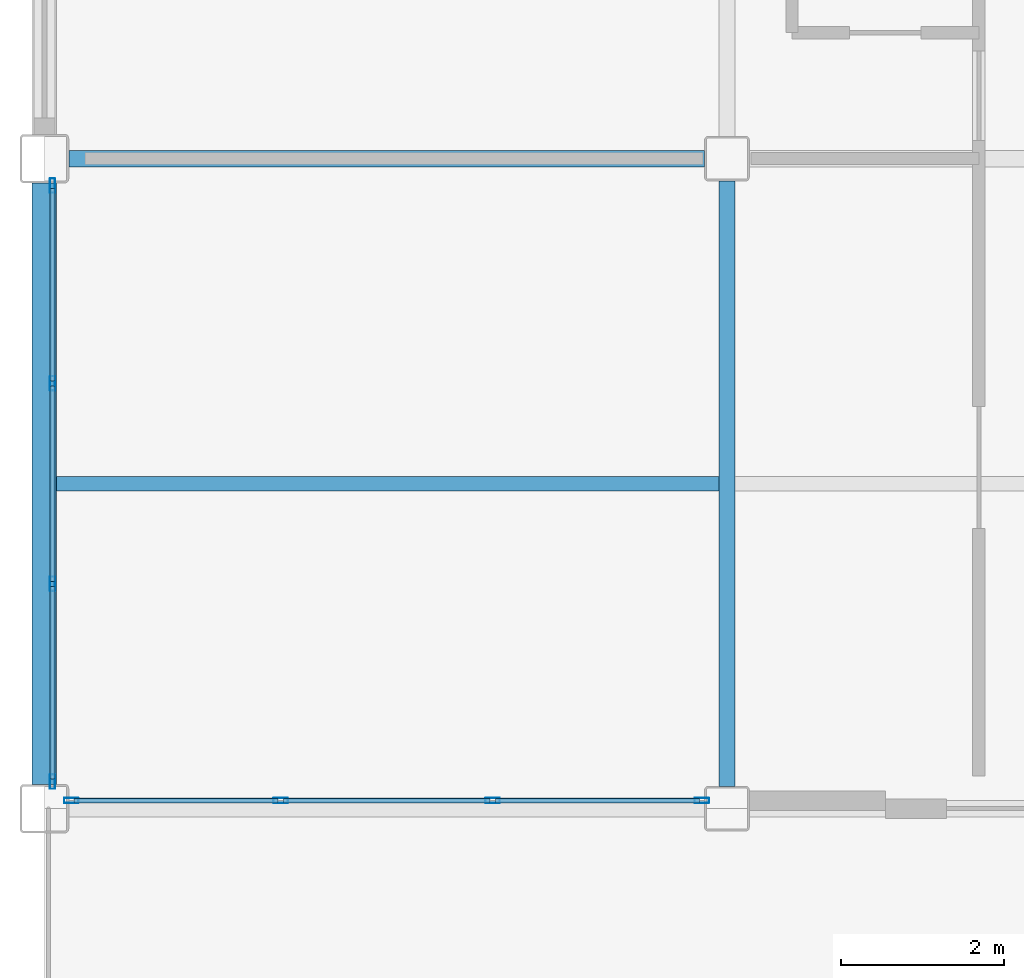
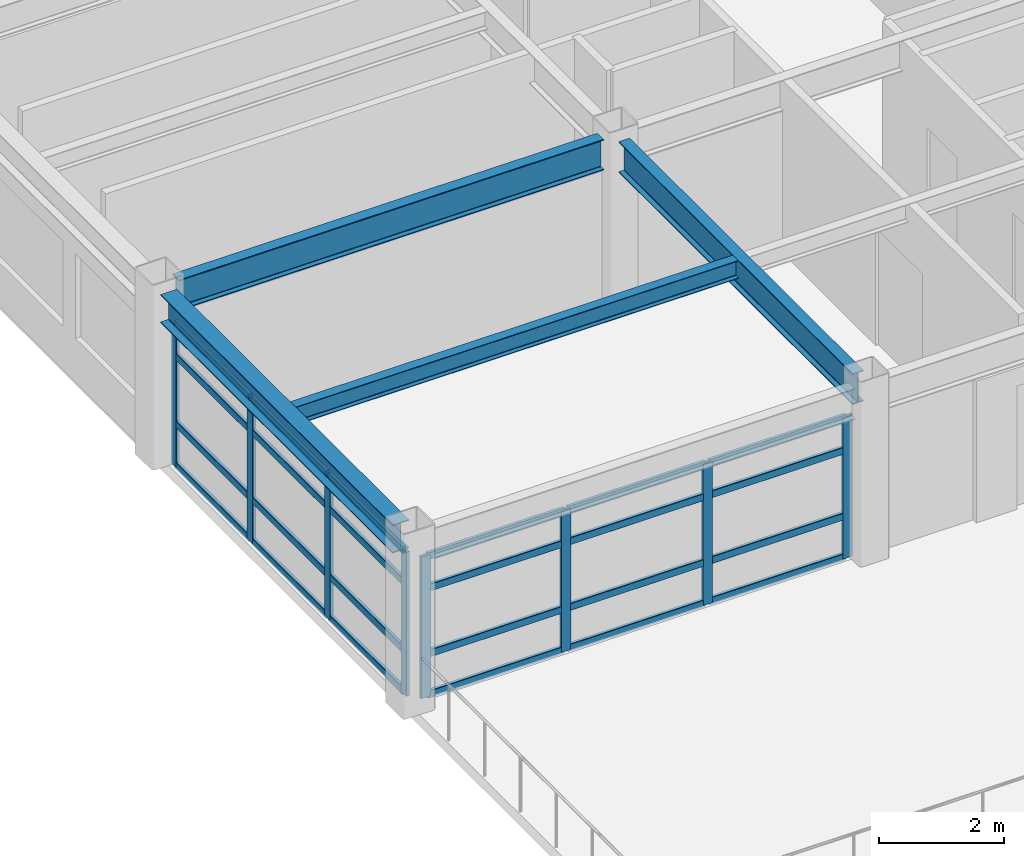
# One storey, part 4 of 36: 32 members, 4 beams, 2 elements without a shape of their own.
"""IFC4 building model written with IfcOpenShell, lengths in metres."""

import ifcopenshell
import ifcopenshell.guid

model = None  # the IFC model being written
_history = None  # IfcOwnerHistory: only IFC2X3 demands one
_inside = {}  # id of a spatial element -> (the spatial element, [elements in it])
_under = {}  # id of a project, library or spatial element -> (it, [spatial elements below it])
_declared = {}  # id of a project -> (the project, [libraries it declares])
_typed = {}  # id of a type object -> (the type object, [elements of that type])
_made_of = {}  # id of a material, layer set ... -> (it, [elements and type objects made of it])


def new_model(schema):
    """Start an empty IFC model of exactly this schema.

    Asked for "IFC4X3", IfcOpenShell would pick the latest addendum, in which some entities
    have other attributes; the version numbers below select the first issue.
    IFC2X3 requires an IfcOwnerHistory on every rooted entity: one is made here for all.
    """
    global model, _history
    if schema == "IFC4X3":
        model = ifcopenshell.file(schema_version=(4, 3, 0, 0))
    else:
        model = ifcopenshell.file(schema=schema)
    _inside.clear()
    _under.clear()
    _declared.clear()
    _typed.clear()
    _made_of.clear()
    _history = None
    if model.schema == "IFC2X3":
        org = make("IfcOrganization", Name="unknown")
        user = make(
            "IfcPersonAndOrganization",
            ThePerson=make("IfcPerson", FamilyName="unknown"),
            TheOrganization=org,
        )
        app = make(
            "IfcApplication",
            ApplicationDeveloper=org,
            Version="unknown",
            ApplicationFullName="unknown",
            ApplicationIdentifier="unknown",
        )
        _history = make(
            "IfcOwnerHistory",
            OwningUser=user,
            OwningApplication=app,
            ChangeAction="ADDED",
            CreationDate=0,
        )
    return model


def make(cls, **values):
    """One entity of the class cls with the attributes given. An attribute that is None is left unset."""
    return model.create_entity(
        cls, **{name: value for name, value in values.items() if value is not None}
    )


def rooted(cls, **values):
    """An entity with a GlobalId (a new one), such as an element, a storey or a relation."""
    return make(cls, GlobalId=ifcopenshell.guid.new(), OwnerHistory=_history, **values)


def si_unit(unit_type, name, prefix=None):
    """IfcSIUnit, for example si_unit("LENGTHUNIT", "METRE", prefix="MILLI")."""
    return make("IfcSIUnit", UnitType=unit_type, Prefix=prefix, Name=name)


def assignment(units):
    """IfcUnitAssignment: the units of a project."""
    return None if units is None else make("IfcUnitAssignment", Units=units)


def point(xyz):
    """IfcCartesianPoint."""
    return None if xyz is None else make("IfcCartesianPoint", Coordinates=xyz)


def direction(xyz):
    """IfcDirection."""
    return None if xyz is None else make("IfcDirection", DirectionRatios=xyz)


def frame(location, z_axis=None, x_axis=None):
    """IfcAxis2Placement3D, a coordinate frame: its origin and axes. An axis left out is left unset."""
    return make(
        "IfcAxis2Placement3D",
        Location=point(location),
        Axis=direction(z_axis),
        RefDirection=direction(x_axis),
    )


def frame_2d(location, x_axis=None):
    """IfcAxis2Placement2D, a coordinate frame in the plane: its origin and x axis."""
    return make(
        "IfcAxis2Placement2D", Location=point(location), RefDirection=direction(x_axis)
    )


def origin():
    """The frame at (0, 0, 0) with its axes left unset."""
    return frame((0.0, 0.0, 0.0))


def origin_2d():
    """The frame at (0, 0) in the plane with its x axis left unset."""
    return frame_2d((0.0, 0.0))


def place(relative_to, where):
    """IfcLocalPlacement: puts the frame where relative to a parent placement (None: the world)."""
    return make(
        "IfcLocalPlacement", PlacementRelTo=relative_to, RelativePlacement=where
    )


def context(
    kind, dimensions, precision=None, world=None, true_north=None, identifier=None
):
    """IfcGeometricRepresentationContext, for example the 3D "Model" context."""
    return make(
        "IfcGeometricRepresentationContext",
        ContextIdentifier=identifier,
        ContextType=kind,
        CoordinateSpaceDimension=dimensions,
        Precision=precision,
        WorldCoordinateSystem=world,
        TrueNorth=true_north,
    )


def subcontext(parent, identifier, kind, view, scale=None):
    """IfcGeometricRepresentationSubContext, for example "Body" below "Model"."""
    return make(
        "IfcGeometricRepresentationSubContext",
        ContextIdentifier=identifier,
        ContextType=kind,
        ParentContext=parent,
        TargetScale=scale,
        TargetView=view,
    )


def project(units=None, contexts=None):
    """IfcProject with its units and contexts."""
    return rooted(
        "IfcProject",
        Name="project",
        RepresentationContexts=contexts,
        UnitsInContext=assignment(units),
    )


def spatial(cls, under=None, at=None, **own):
    """A site, building, storey or space (cls), placed at a placement, below another one or the project."""
    s = rooted(cls, ObjectPlacement=at, **own)
    if under is not None:
        _under.setdefault(under.id(), (under, []))[1].append(s)
    return s


def profile(cls, at=None, kind="AREA", **sizes):
    """A parametric profile (cls). Its sizes go by their IFC names, for example OverallWidth=200.0."""
    return make(cls, ProfileType=kind, Position=at, **sizes)


def hollow_rectangle(**sizes):
    """IfcRectangleHollowProfileDef."""
    return profile("IfcRectangleHollowProfileDef", **sizes)


def i_section(**sizes):
    """IfcIShapeProfileDef."""
    return profile("IfcIShapeProfileDef", **sizes)


def extrude(swept, where, along, depth):
    """IfcExtrudedAreaSolid: the profile swept, set in the frame where, extruded along a direction by depth."""
    return make(
        "IfcExtrudedAreaSolid",
        SweptArea=swept,
        Position=where,
        ExtrudedDirection=direction(along),
        Depth=depth,
    )


def shape(context_of_items, identifier, shape_type, items):
    """IfcShapeRepresentation: the items that make up one representation, for example the "Body"."""
    return make(
        "IfcShapeRepresentation",
        ContextOfItems=context_of_items,
        RepresentationIdentifier=identifier,
        RepresentationType=shape_type,
        Items=items,
    )


def material(Name=None, Category=None):
    """IfcMaterial."""
    return make("IfcMaterial", Name=Name, Category=Category)


def layer(
    of_material, thickness, ventilated=None, Name=None, Category=None, Priority=None
):
    """IfcMaterialLayer: one layer of a wall or slab, of a material (None: an air gap)."""
    return make(
        "IfcMaterialLayer",
        Material=of_material,
        LayerThickness=thickness,
        IsVentilated=ventilated,
        Name=Name,
        Category=Category,
        Priority=Priority,
    )


def layer_set(layers, Name=None):
    """IfcMaterialLayerSet."""
    return make("IfcMaterialLayerSet", MaterialLayers=layers, LayerSetName=Name)


def material_profile(
    of_material, cross_section, Name=None, Category=None, Priority=None
):
    """IfcMaterialProfile: a cross section and its material."""
    return make(
        "IfcMaterialProfile",
        Name=Name,
        Material=of_material,
        Profile=cross_section,
        Priority=Priority,
        Category=Category,
    )


def profile_set(profiles, Name=None, composite=None):
    """IfcMaterialProfileSet."""
    return make(
        "IfcMaterialProfileSet",
        Name=Name,
        MaterialProfiles=profiles,
        CompositeProfile=composite,
    )


def made_of(thing, what):
    """Note that an element or type object is made of a material, layer set ...; save() writes the relation."""
    if what is not None:
        _made_of.setdefault(what.id(), (what, []))[1].append(thing)
    return thing


def type_object(cls, material=None, **own):
    """A type object (cls), such as IfcWallType, which elements share."""
    return made_of(rooted(cls, **own), material)


def element(
    cls,
    number,
    at=None,
    inside=None,
    cuts=None,
    type_object=None,
    material=None,
    context=None,
    identifier="Body",
    shape_type=None,
    held_by="IfcProductDefinitionShape",
    body=None,
    shapes=None,
    **own,
):
    """One element of the class cls, such as IfcWall. Its Tag is "e" and its number.

    at: its placement. inside: the storey or other place that contains it. cuts: it is an
    opening in that element (IfcRelVoidsElement). A single representation is given by context,
    identifier, shape_type and body (its items); several are given by shapes. held_by: the class
    of the entity that holds the representations. save() writes the other relations.
    """
    e = rooted(cls, Tag="e%d" % number, ObjectPlacement=at, **own)
    if body is not None:
        shapes = [shape(context, identifier, shape_type, body)]
    if shapes is not None:
        e.Representation = make(held_by, Representations=shapes)
    if inside is not None:
        _inside.setdefault(inside.id(), (inside, []))[1].append(e)
    if cuts is not None:
        rooted(
            "IfcRelVoidsElement", RelatingBuildingElement=cuts, RelatedOpeningElement=e
        )
    if type_object is not None:
        _typed.setdefault(type_object.id(), (type_object, []))[1].append(e)
    return made_of(e, material)


def aggregate(whole, parts):
    """IfcRelAggregates: a whole, such as a stair, and the parts it consists of."""
    return rooted("IfcRelAggregates", RelatingObject=whole, RelatedObjects=parts)


def save(model, path):
    """Write the relations noted so far, then the file.

    IfcRelAggregates (storeys below a building ...), IfcRelContainedInSpatialStructure (elements
    in a storey), IfcRelDefinesByType, IfcRelAssociatesMaterial and IfcRelDeclares: one each for
    every whole, place, type object, material and project.
    """
    for whole, parts in _under.values():
        aggregate(whole, parts)
    for where, things in _inside.values():
        rooted(
            "IfcRelContainedInSpatialStructure",
            RelatedElements=things,
            RelatingStructure=where,
        )
    for kind, things in _typed.values():
        rooted("IfcRelDefinesByType", RelatedObjects=things, RelatingType=kind)
    for what, things in _made_of.values():
        rooted("IfcRelAssociatesMaterial", RelatedObjects=things, RelatingMaterial=what)
    for by, libraries in _declared.values():
        rooted("IfcRelDeclares", RelatingContext=by, RelatedDefinitions=libraries)
    model.write(path)


model = new_model("IFC4")

# Units and contexts
model_context = context("Model", 3, precision=1e-05, world=origin(), true_north=direction((0.0, 1.0)))
body_context = subcontext(model_context, "Body", "Model", "MODEL_VIEW")
ifc_project = project(units=[si_unit("LENGTHUNIT", "METRE"), si_unit("AREAUNIT", "SQUARE_METRE"), si_unit("VOLUMEUNIT", "CUBIC_METRE"), si_unit("PLANEANGLEUNIT", "RADIAN"), si_unit("MASSUNIT", "GRAM", prefix="KILO")], contexts=[model_context])

# Site, building, storey
site_placement = place(None, origin())
site = spatial("IfcSite", under=ifc_project, at=site_placement, CompositionType="ELEMENT")
building_placement = place(site_placement, origin())
building = spatial("IfcBuilding", under=site, at=building_placement, Name="Kazehara Bluff Congress Hotel", CompositionType="ELEMENT")
storey_placement = place(building_placement, frame((0.0, 0.0, 31.800048828125)))
storey = spatial("IfcBuildingStorey", under=building, at=storey_placement, Name="L07", CompositionType="ELEMENT", Elevation=31.800048828125)

# Curtain wall, members
ifc_material_1 = material(Name="Anodised aluminium", Category="aluminium")
ifc_layer_1 = layer(ifc_material_1, 0.159912109375)
ifc_layer_set_1 = layer_set([ifc_layer_1], Name="Anodised aluminium")
curtain_wall_type_1 = type_object("IfcCurtainWallType", Name="TP-CW-182", PredefinedType="NOTDEFINED", material=ifc_layer_set_1)
curtain_wall_1_placement = place(storey_placement, origin())
curtain_wall_1 = element("IfcCurtainWall", 1, at=curtain_wall_1_placement, inside=storey, type_object=curtain_wall_type_1, Name="L07 curtain wall CW-182 CW-ENC-V5-L07-14791-810", PredefinedType="NOTDEFINED")
ifc_material_2 = material(Name="Anodised aluminium", Category="aluminium")
ifc_material_profile_1 = material_profile(ifc_material_2, hollow_rectangle(XDim=0.06494140625, YDim=0.179931640625, WallThickness=0.00390625, InnerFilletRadius=0.00390625, OuterFilletRadius=0.008056640625, at=origin_2d()))
ifc_profile_set_1 = profile_set([ifc_material_profile_1], Name="Anodised aluminium")
member_type_1 = type_object("IfcMemberType", Name="TP-CWM-02", PredefinedType="MULLION", material=ifc_profile_set_1)
member_1_placement = place(storey_placement, frame((151.79248046875, 8.10009765625, 0.0), z_axis=(0.0, 0.0, 1.0), x_axis=(0.0, -1.0, 0.0)))
member_1 = element("IfcMember", 2, at=member_1_placement, type_object=member_type_1, Name="CW-182 mullion 1", PredefinedType="MULLION", context=body_context, shape_type="SweptSolid", body=[
    extrude(hollow_rectangle(XDim=0.06494140625, YDim=0.179931640625, WallThickness=0.00390625, InnerFilletRadius=0.00390625, OuterFilletRadius=0.008056640625, at=origin_2d()), origin(), (0.0, 0.0, 1.0), 2.7548828125),
])
member_2_placement = place(storey_placement, frame((149.216552734375, 8.10009765625, 0.0), z_axis=(0.0, 0.0, 1.0), x_axis=(0.0, -1.0, 0.0)))
member_2 = element("IfcMember", 3, at=member_2_placement, type_object=member_type_1, Name="CW-182 mullion 2", PredefinedType="MULLION", context=body_context, shape_type="SweptSolid", body=[
    extrude(hollow_rectangle(XDim=0.06494140625, YDim=0.179931640625, WallThickness=0.00390625, InnerFilletRadius=0.00390625, OuterFilletRadius=0.008056640625, at=origin_2d()), origin(), (0.0, 0.0, 1.0), 2.7548828125),
])
member_3_placement = place(storey_placement, frame((146.6083984375, 8.10009765625, 0.0), z_axis=(0.0, 0.0, 1.0), x_axis=(0.0, -1.0, 0.0)))
member_3 = element("IfcMember", 4, at=member_3_placement, type_object=member_type_1, Name="CW-182 mullion 3", PredefinedType="MULLION", context=body_context, shape_type="SweptSolid", body=[
    extrude(hollow_rectangle(XDim=0.06494140625, YDim=0.179931640625, WallThickness=0.00390625, InnerFilletRadius=0.00390625, OuterFilletRadius=0.008056640625, at=origin_2d()), origin(), (0.0, 0.0, 1.0), 2.7548828125),
])
member_4_placement = place(storey_placement, frame((144.032470703125, 8.10009765625, 0.0), z_axis=(0.0, 0.0, 1.0), x_axis=(0.0, -1.0, 0.0)))
member_4 = element("IfcMember", 5, at=member_4_placement, type_object=member_type_1, Name="CW-182 mullion 4", PredefinedType="MULLION", context=body_context, shape_type="SweptSolid", body=[
    extrude(hollow_rectangle(XDim=0.06494140625, YDim=0.179931640625, WallThickness=0.00390625, InnerFilletRadius=0.00390625, OuterFilletRadius=0.008056640625, at=origin_2d()), origin(), (0.0, 0.0, 1.0), 2.7548828125),
])

ifc_material_3 = material(Name="Anodised aluminium", Category="aluminium")
ifc_layer_2 = layer(ifc_material_3, 0.159912109375)
ifc_layer_set_2 = layer_set([ifc_layer_2], Name="Anodised aluminium")
curtain_wall_type_2 = type_object("IfcCurtainWallType", Name="TP-CW-184", PredefinedType="NOTDEFINED", material=ifc_layer_set_2)
curtain_wall_2_placement = place(storey_placement, origin())
curtain_wall_2 = element("IfcCurtainWall", 6, at=curtain_wall_2_placement, inside=storey, type_object=curtain_wall_type_2, Name="L07 curtain wall CW-184 CW-ENC-V5-L07-14380-1200", PredefinedType="NOTDEFINED")
member_5_placement = place(storey_placement, frame((143.800048828125, 8.33251953125, 0.0), z_axis=(0.0, 0.0, 1.0), x_axis=(-1.0, 0.0, 0.0)))
member_5 = element("IfcMember", 7, at=member_5_placement, type_object=member_type_1, Name="CW-184 mullion 1", PredefinedType="MULLION", context=body_context, shape_type="SweptSolid", body=[
    extrude(hollow_rectangle(XDim=0.06494140625, YDim=0.179931640625, WallThickness=0.00390625, InnerFilletRadius=0.00390625, OuterFilletRadius=0.008056640625, at=origin_2d()), origin(), (0.0, 0.0, 1.0), 2.804931640625),
])
member_6_placement = place(storey_placement, frame((143.800048828125, 10.7666015625, 0.0), z_axis=(0.0, 0.0, 1.0), x_axis=(-1.0, 0.0, 0.0)))
member_6 = element("IfcMember", 8, at=member_6_placement, type_object=member_type_1, Name="CW-184 mullion 2", PredefinedType="MULLION", context=body_context, shape_type="SweptSolid", body=[
    extrude(hollow_rectangle(XDim=0.06494140625, YDim=0.179931640625, WallThickness=0.00390625, InnerFilletRadius=0.00390625, OuterFilletRadius=0.008056640625, at=origin_2d()), origin(), (0.0, 0.0, 1.0), 2.804931640625),
])
member_7_placement = place(storey_placement, frame((143.800048828125, 13.2333984375, 0.0), z_axis=(0.0, 0.0, 1.0), x_axis=(-1.0, 0.0, 0.0)))
member_7 = element("IfcMember", 9, at=member_7_placement, type_object=member_type_1, Name="CW-184 mullion 3", PredefinedType="MULLION", context=body_context, shape_type="SweptSolid", body=[
    extrude(hollow_rectangle(XDim=0.06494140625, YDim=0.179931640625, WallThickness=0.00390625, InnerFilletRadius=0.00390625, OuterFilletRadius=0.008056640625, at=origin_2d()), origin(), (0.0, 0.0, 1.0), 2.804931640625),
])
member_8_placement = place(storey_placement, frame((143.800048828125, 15.66748046875, 0.0), z_axis=(0.0, 0.0, 1.0), x_axis=(-1.0, 0.0, 0.0)))
member_8 = element("IfcMember", 10, at=member_8_placement, type_object=member_type_1, Name="CW-184 mullion 4", PredefinedType="MULLION", context=body_context, shape_type="SweptSolid", body=[
    extrude(hollow_rectangle(XDim=0.06494140625, YDim=0.179931640625, WallThickness=0.00390625, InnerFilletRadius=0.00390625, OuterFilletRadius=0.008056640625, at=origin_2d()), origin(), (0.0, 0.0, 1.0), 2.804931640625),
])

# Member
ifc_material_4 = material(Name="Anodised aluminium", Category="aluminium")
ifc_material_profile_2 = material_profile(ifc_material_4, hollow_rectangle(XDim=0.06494140625, YDim=0.139892578125, WallThickness=0.00390625, InnerFilletRadius=0.00390625, OuterFilletRadius=0.008056640625, at=origin_2d()))
ifc_profile_set_2 = profile_set([ifc_material_profile_2], Name="Anodised aluminium")
member_type_2 = type_object("IfcMemberType", Name="TP-CWT-02", PredefinedType="USERDEFINED", material=ifc_profile_set_2)
member_9_placement = place(storey_placement, frame((151.760009765625, 8.10009765625, 0.032470703125), z_axis=(-1.0, 0.0, 0.0), x_axis=(0.0, -1.0, 0.0)))
member_9 = element("IfcMember", 11, at=member_9_placement, type_object=member_type_2, Name="CW-182 transom 1.1", ObjectType="TRANSOM", PredefinedType="USERDEFINED", context=body_context, shape_type="SweptSolid", body=[
    extrude(hollow_rectangle(XDim=0.06494140625, YDim=0.139892578125, WallThickness=0.00390625, InnerFilletRadius=0.00390625, OuterFilletRadius=0.008056640625, at=origin_2d()), origin(), (0.0, 0.0, 1.0), 2.5107421875),
])

member_10_placement = place(storey_placement, frame((151.760009765625, 8.10009765625, 0.824951171875), z_axis=(-1.0, 0.0, 0.0), x_axis=(0.0, -1.0, 0.0)))
member_10 = element("IfcMember", 12, at=member_10_placement, type_object=member_type_2, Name="CW-182 transom 1.2", ObjectType="TRANSOM", PredefinedType="USERDEFINED", context=body_context, shape_type="SweptSolid", body=[
    extrude(hollow_rectangle(XDim=0.06494140625, YDim=0.139892578125, WallThickness=0.00390625, InnerFilletRadius=0.00390625, OuterFilletRadius=0.008056640625, at=origin_2d()), origin(), (0.0, 0.0, 1.0), 2.5107421875),
])

member_11_placement = place(storey_placement, frame((151.760009765625, 8.10009765625, 2.10498046875), z_axis=(-1.0, 0.0, 0.0), x_axis=(0.0, -1.0, 0.0)))
member_11 = element("IfcMember", 13, at=member_11_placement, type_object=member_type_2, Name="CW-182 transom 1.3", ObjectType="TRANSOM", PredefinedType="USERDEFINED", context=body_context, shape_type="SweptSolid", body=[
    extrude(hollow_rectangle(XDim=0.06494140625, YDim=0.139892578125, WallThickness=0.00390625, InnerFilletRadius=0.00390625, OuterFilletRadius=0.008056640625, at=origin_2d()), origin(), (0.0, 0.0, 1.0), 2.5107421875),
])

member_12_placement = place(storey_placement, frame((151.760009765625, 8.10009765625, 2.722412109375), z_axis=(-1.0, 0.0, 0.0), x_axis=(0.0, -1.0, 0.0)))
member_12 = element("IfcMember", 14, at=member_12_placement, type_object=member_type_2, Name="CW-182 transom 1.4", ObjectType="TRANSOM", PredefinedType="USERDEFINED", context=body_context, shape_type="SweptSolid", body=[
    extrude(hollow_rectangle(XDim=0.06494140625, YDim=0.139892578125, WallThickness=0.00390625, InnerFilletRadius=0.00390625, OuterFilletRadius=0.008056640625, at=origin_2d()), origin(), (0.0, 0.0, 1.0), 2.5107421875),
])

member_13_placement = place(storey_placement, frame((149.18408203125, 8.10009765625, 0.032470703125), z_axis=(-1.0, 0.0, 0.0), x_axis=(0.0, -1.0, 0.0)))
member_13 = element("IfcMember", 15, at=member_13_placement, type_object=member_type_2, Name="CW-182 transom 2.1", ObjectType="TRANSOM", PredefinedType="USERDEFINED", context=body_context, shape_type="SweptSolid", body=[
    extrude(hollow_rectangle(XDim=0.06494140625, YDim=0.139892578125, WallThickness=0.00390625, InnerFilletRadius=0.00390625, OuterFilletRadius=0.008056640625, at=origin_2d()), origin(), (0.0, 0.0, 1.0), 2.543212890625),
])

member_14_placement = place(storey_placement, frame((149.18408203125, 8.10009765625, 0.824951171875), z_axis=(-1.0, 0.0, 0.0), x_axis=(0.0, -1.0, 0.0)))
member_14 = element("IfcMember", 16, at=member_14_placement, type_object=member_type_2, Name="CW-182 transom 2.2", ObjectType="TRANSOM", PredefinedType="USERDEFINED", context=body_context, shape_type="SweptSolid", body=[
    extrude(hollow_rectangle(XDim=0.06494140625, YDim=0.139892578125, WallThickness=0.00390625, InnerFilletRadius=0.00390625, OuterFilletRadius=0.008056640625, at=origin_2d()), origin(), (0.0, 0.0, 1.0), 2.543212890625),
])

member_15_placement = place(storey_placement, frame((149.18408203125, 8.10009765625, 2.10498046875), z_axis=(-1.0, 0.0, 0.0), x_axis=(0.0, -1.0, 0.0)))
member_15 = element("IfcMember", 17, at=member_15_placement, type_object=member_type_2, Name="CW-182 transom 2.3", ObjectType="TRANSOM", PredefinedType="USERDEFINED", context=body_context, shape_type="SweptSolid", body=[
    extrude(hollow_rectangle(XDim=0.06494140625, YDim=0.139892578125, WallThickness=0.00390625, InnerFilletRadius=0.00390625, OuterFilletRadius=0.008056640625, at=origin_2d()), origin(), (0.0, 0.0, 1.0), 2.543212890625),
])

member_16_placement = place(storey_placement, frame((149.18408203125, 8.10009765625, 2.722412109375), z_axis=(-1.0, 0.0, 0.0), x_axis=(0.0, -1.0, 0.0)))
member_16 = element("IfcMember", 18, at=member_16_placement, type_object=member_type_2, Name="CW-182 transom 2.4", ObjectType="TRANSOM", PredefinedType="USERDEFINED", context=body_context, shape_type="SweptSolid", body=[
    extrude(hollow_rectangle(XDim=0.06494140625, YDim=0.139892578125, WallThickness=0.00390625, InnerFilletRadius=0.00390625, OuterFilletRadius=0.008056640625, at=origin_2d()), origin(), (0.0, 0.0, 1.0), 2.543212890625),
])

member_17_placement = place(storey_placement, frame((146.575927734375, 8.10009765625, 0.032470703125), z_axis=(-1.0, 0.0, 0.0), x_axis=(0.0, -1.0, 0.0)))
member_17 = element("IfcMember", 19, at=member_17_placement, type_object=member_type_2, Name="CW-182 transom 3.1", ObjectType="TRANSOM", PredefinedType="USERDEFINED", context=body_context, shape_type="SweptSolid", body=[
    extrude(hollow_rectangle(XDim=0.06494140625, YDim=0.139892578125, WallThickness=0.00390625, InnerFilletRadius=0.00390625, OuterFilletRadius=0.008056640625, at=origin_2d()), origin(), (0.0, 0.0, 1.0), 2.510986328125),
])

member_18_placement = place(storey_placement, frame((146.575927734375, 8.10009765625, 0.824951171875), z_axis=(-1.0, 0.0, 0.0), x_axis=(0.0, -1.0, 0.0)))
member_18 = element("IfcMember", 20, at=member_18_placement, type_object=member_type_2, Name="CW-182 transom 3.2", ObjectType="TRANSOM", PredefinedType="USERDEFINED", context=body_context, shape_type="SweptSolid", body=[
    extrude(hollow_rectangle(XDim=0.06494140625, YDim=0.139892578125, WallThickness=0.00390625, InnerFilletRadius=0.00390625, OuterFilletRadius=0.008056640625, at=origin_2d()), origin(), (0.0, 0.0, 1.0), 2.510986328125),
])

member_19_placement = place(storey_placement, frame((146.575927734375, 8.10009765625, 2.10498046875), z_axis=(-1.0, 0.0, 0.0), x_axis=(0.0, -1.0, 0.0)))
member_19 = element("IfcMember", 21, at=member_19_placement, type_object=member_type_2, Name="CW-182 transom 3.3", ObjectType="TRANSOM", PredefinedType="USERDEFINED", context=body_context, shape_type="SweptSolid", body=[
    extrude(hollow_rectangle(XDim=0.06494140625, YDim=0.139892578125, WallThickness=0.00390625, InnerFilletRadius=0.00390625, OuterFilletRadius=0.008056640625, at=origin_2d()), origin(), (0.0, 0.0, 1.0), 2.510986328125),
])

member_20_placement = place(storey_placement, frame((146.575927734375, 8.10009765625, 2.722412109375), z_axis=(-1.0, 0.0, 0.0), x_axis=(0.0, -1.0, 0.0)))
member_20 = element("IfcMember", 22, at=member_20_placement, type_object=member_type_2, Name="CW-182 transom 3.4", ObjectType="TRANSOM", PredefinedType="USERDEFINED", context=body_context, shape_type="SweptSolid", body=[
    extrude(hollow_rectangle(XDim=0.06494140625, YDim=0.139892578125, WallThickness=0.00390625, InnerFilletRadius=0.00390625, OuterFilletRadius=0.008056640625, at=origin_2d()), origin(), (0.0, 0.0, 1.0), 2.510986328125),
])

aggregate(curtain_wall_1, [member_1, member_2, member_3, member_4, member_9, member_10, member_11, member_12, member_13, member_14, member_15, member_16, member_17, member_18, member_19, member_20])

member_21_placement = place(storey_placement, frame((143.800048828125, 8.364990234375, 0.032470703125), z_axis=(0.0, 1.0, 0.0), x_axis=(-1.0, 0.0, 0.0)))
member_21 = element("IfcMember", 23, at=member_21_placement, type_object=member_type_2, Name="CW-184 transom 1.1", ObjectType="TRANSOM", PredefinedType="USERDEFINED", context=body_context, shape_type="SweptSolid", body=[
    extrude(hollow_rectangle(XDim=0.06494140625, YDim=0.139892578125, WallThickness=0.00390625, InnerFilletRadius=0.00390625, OuterFilletRadius=0.008056640625, at=origin_2d()), origin(), (0.0, 0.0, 1.0), 2.369140625),
])

member_22_placement = place(storey_placement, frame((143.800048828125, 8.364990234375, 0.83984375), z_axis=(0.0, 1.0, 0.0), x_axis=(-1.0, 0.0, 0.0)))
member_22 = element("IfcMember", 24, at=member_22_placement, type_object=member_type_2, Name="CW-184 transom 1.2", ObjectType="TRANSOM", PredefinedType="USERDEFINED", context=body_context, shape_type="SweptSolid", body=[
    extrude(hollow_rectangle(XDim=0.06494140625, YDim=0.139892578125, WallThickness=0.00390625, InnerFilletRadius=0.00390625, OuterFilletRadius=0.008056640625, at=origin_2d()), origin(), (0.0, 0.0, 1.0), 2.369140625),
])

member_23_placement = place(storey_placement, frame((143.800048828125, 8.364990234375, 2.155029296875), z_axis=(0.0, 1.0, 0.0), x_axis=(-1.0, 0.0, 0.0)))
member_23 = element("IfcMember", 25, at=member_23_placement, type_object=member_type_2, Name="CW-184 transom 1.3", ObjectType="TRANSOM", PredefinedType="USERDEFINED", context=body_context, shape_type="SweptSolid", body=[
    extrude(hollow_rectangle(XDim=0.06494140625, YDim=0.139892578125, WallThickness=0.00390625, InnerFilletRadius=0.00390625, OuterFilletRadius=0.008056640625, at=origin_2d()), origin(), (0.0, 0.0, 1.0), 2.369140625),
])

member_24_placement = place(storey_placement, frame((143.800048828125, 8.364990234375, 2.7724609375), z_axis=(0.0, 1.0, 0.0), x_axis=(-1.0, 0.0, 0.0)))
member_24 = element("IfcMember", 26, at=member_24_placement, type_object=member_type_2, Name="CW-184 transom 1.4", ObjectType="TRANSOM", PredefinedType="USERDEFINED", context=body_context, shape_type="SweptSolid", body=[
    extrude(hollow_rectangle(XDim=0.06494140625, YDim=0.139892578125, WallThickness=0.00390625, InnerFilletRadius=0.00390625, OuterFilletRadius=0.008056640625, at=origin_2d()), origin(), (0.0, 0.0, 1.0), 2.369140625),
])

member_25_placement = place(storey_placement, frame((143.800048828125, 10.799072265625, 0.032470703125), z_axis=(0.0, 1.0, 0.0), x_axis=(-1.0, 0.0, 0.0)))
member_25 = element("IfcMember", 27, at=member_25_placement, type_object=member_type_2, Name="CW-184 transom 2.1", ObjectType="TRANSOM", PredefinedType="USERDEFINED", context=body_context, shape_type="SweptSolid", body=[
    extrude(hollow_rectangle(XDim=0.06494140625, YDim=0.139892578125, WallThickness=0.00390625, InnerFilletRadius=0.00390625, OuterFilletRadius=0.008056640625, at=origin_2d()), origin(), (0.0, 0.0, 1.0), 2.40185546875),
])

member_26_placement = place(storey_placement, frame((143.800048828125, 10.799072265625, 0.83984375), z_axis=(0.0, 1.0, 0.0), x_axis=(-1.0, 0.0, 0.0)))
member_26 = element("IfcMember", 28, at=member_26_placement, type_object=member_type_2, Name="CW-184 transom 2.2", ObjectType="TRANSOM", PredefinedType="USERDEFINED", context=body_context, shape_type="SweptSolid", body=[
    extrude(hollow_rectangle(XDim=0.06494140625, YDim=0.139892578125, WallThickness=0.00390625, InnerFilletRadius=0.00390625, OuterFilletRadius=0.008056640625, at=origin_2d()), origin(), (0.0, 0.0, 1.0), 2.40185546875),
])

member_27_placement = place(storey_placement, frame((143.800048828125, 10.799072265625, 2.155029296875), z_axis=(0.0, 1.0, 0.0), x_axis=(-1.0, 0.0, 0.0)))
member_27 = element("IfcMember", 29, at=member_27_placement, type_object=member_type_2, Name="CW-184 transom 2.3", ObjectType="TRANSOM", PredefinedType="USERDEFINED", context=body_context, shape_type="SweptSolid", body=[
    extrude(hollow_rectangle(XDim=0.06494140625, YDim=0.139892578125, WallThickness=0.00390625, InnerFilletRadius=0.00390625, OuterFilletRadius=0.008056640625, at=origin_2d()), origin(), (0.0, 0.0, 1.0), 2.40185546875),
])

member_28_placement = place(storey_placement, frame((143.800048828125, 10.799072265625, 2.7724609375), z_axis=(0.0, 1.0, 0.0), x_axis=(-1.0, 0.0, 0.0)))
member_28 = element("IfcMember", 30, at=member_28_placement, type_object=member_type_2, Name="CW-184 transom 2.4", ObjectType="TRANSOM", PredefinedType="USERDEFINED", context=body_context, shape_type="SweptSolid", body=[
    extrude(hollow_rectangle(XDim=0.06494140625, YDim=0.139892578125, WallThickness=0.00390625, InnerFilletRadius=0.00390625, OuterFilletRadius=0.008056640625, at=origin_2d()), origin(), (0.0, 0.0, 1.0), 2.40185546875),
])

member_29_placement = place(storey_placement, frame((143.800048828125, 13.265869140625, 0.032470703125), z_axis=(0.0, 1.0, 0.0), x_axis=(-1.0, 0.0, 0.0)))
member_29 = element("IfcMember", 31, at=member_29_placement, type_object=member_type_2, Name="CW-184 transom 3.1", ObjectType="TRANSOM", PredefinedType="USERDEFINED", context=body_context, shape_type="SweptSolid", body=[
    extrude(hollow_rectangle(XDim=0.06494140625, YDim=0.139892578125, WallThickness=0.00390625, InnerFilletRadius=0.00390625, OuterFilletRadius=0.008056640625, at=origin_2d()), origin(), (0.0, 0.0, 1.0), 2.369140625),
])

member_30_placement = place(storey_placement, frame((143.800048828125, 13.265869140625, 0.83984375), z_axis=(0.0, 1.0, 0.0), x_axis=(-1.0, 0.0, 0.0)))
member_30 = element("IfcMember", 32, at=member_30_placement, type_object=member_type_2, Name="CW-184 transom 3.2", ObjectType="TRANSOM", PredefinedType="USERDEFINED", context=body_context, shape_type="SweptSolid", body=[
    extrude(hollow_rectangle(XDim=0.06494140625, YDim=0.139892578125, WallThickness=0.00390625, InnerFilletRadius=0.00390625, OuterFilletRadius=0.008056640625, at=origin_2d()), origin(), (0.0, 0.0, 1.0), 2.369140625),
])

member_31_placement = place(storey_placement, frame((143.800048828125, 13.265869140625, 2.155029296875), z_axis=(0.0, 1.0, 0.0), x_axis=(-1.0, 0.0, 0.0)))
member_31 = element("IfcMember", 33, at=member_31_placement, type_object=member_type_2, Name="CW-184 transom 3.3", ObjectType="TRANSOM", PredefinedType="USERDEFINED", context=body_context, shape_type="SweptSolid", body=[
    extrude(hollow_rectangle(XDim=0.06494140625, YDim=0.139892578125, WallThickness=0.00390625, InnerFilletRadius=0.00390625, OuterFilletRadius=0.008056640625, at=origin_2d()), origin(), (0.0, 0.0, 1.0), 2.369140625),
])

member_32_placement = place(storey_placement, frame((143.800048828125, 13.265869140625, 2.7724609375), z_axis=(0.0, 1.0, 0.0), x_axis=(-1.0, 0.0, 0.0)))
member_32 = element("IfcMember", 34, at=member_32_placement, type_object=member_type_2, Name="CW-184 transom 3.4", ObjectType="TRANSOM", PredefinedType="USERDEFINED", context=body_context, shape_type="SweptSolid", body=[
    extrude(hollow_rectangle(XDim=0.06494140625, YDim=0.139892578125, WallThickness=0.00390625, InnerFilletRadius=0.00390625, OuterFilletRadius=0.008056640625, at=origin_2d()), origin(), (0.0, 0.0, 1.0), 2.369140625),
])

aggregate(curtain_wall_2, [member_5, member_6, member_7, member_8, member_21, member_22, member_23, member_24, member_25, member_26, member_27, member_28, member_29, member_30, member_31, member_32])

# Beams
ifc_material_5 = material(Name="Steel SN490B", Category="steel")
ifc_material_profile_3 = material_profile(ifc_material_5, i_section(OverallWidth=0.199951171875, OverallDepth=0.60009765625, WebThickness=0.010986328125, FlangeThickness=0.01708984375, FilletRadius=0.012939453125, at=origin_2d()))
ifc_profile_set_3 = profile_set([ifc_material_profile_3], Name="Steel SN490B")
beam_type_1 = type_object("IfcBeamType", Name="TP-G-02", PredefinedType="BEAM", material=ifc_profile_set_3)
beam_1_placement = place(storey_placement, frame((152.10009765625, 8.27490234375, 3.079833984375), z_axis=(0.0, 1.0, 0.0), x_axis=(-1.0, 0.0, 0.0)))
element("IfcBeam", 35, at=beam_1_placement, inside=storey, type_object=beam_type_1, Name="L07 girder G-02 11", PredefinedType="BEAM", context=body_context, shape_type="SweptSolid", body=[
    extrude(i_section(OverallWidth=0.199951171875, OverallDepth=0.60009765625, WebThickness=0.010986328125, FlangeThickness=0.01708984375, FilletRadius=0.012939453125, at=origin_2d()), origin(), (0.0, 0.0, 1.0), 7.4501953125),
])
beam_2_placement = place(storey_placement, frame((144.0, 16.0, 3.079833984375), z_axis=(1.0, 0.0, 0.0), x_axis=(0.0, 1.0, 0.0)))
element("IfcBeam", 36, at=beam_2_placement, inside=storey, type_object=beam_type_1, Name="L07 girder G-02 39", PredefinedType="BEAM", context=body_context, shape_type="SweptSolid", body=[
    extrude(i_section(OverallWidth=0.199951171875, OverallDepth=0.60009765625, WebThickness=0.010986328125, FlangeThickness=0.01708984375, FilletRadius=0.012939453125, at=origin_2d()), origin(), (0.0, 0.0, 1.0), 7.824951171875),
])
ifc_material_6 = material(Name="Steel SN400B", Category="steel")
ifc_material_profile_4 = material_profile(ifc_material_6, i_section(OverallWidth=0.175048828125, OverallDepth=0.35009765625, WebThickness=0.007080078125, FlangeThickness=0.010986328125, FilletRadius=0.012939453125, at=origin_2d()))
ifc_profile_set_4 = profile_set([ifc_material_profile_4], Name="Steel SN400B")
beam_type_2 = type_object("IfcBeamType", Name="TP-J-02", PredefinedType="JOIST", material=ifc_profile_set_4)
beam_3_placement = place(storey_placement, frame((143.85009765625, 12.0, 3.204833984375), z_axis=(1.0, 0.0, 0.0), x_axis=(0.0, 1.0, 0.0)))
element("IfcBeam", 37, at=beam_3_placement, inside=storey, type_object=beam_type_2, Name="L07 secondary joist J-02 1", PredefinedType="JOIST", context=body_context, shape_type="SweptSolid", body=[
    extrude(i_section(OverallWidth=0.175048828125, OverallDepth=0.35009765625, WebThickness=0.007080078125, FlangeThickness=0.010986328125, FilletRadius=0.012939453125, at=origin_2d()), origin(), (0.0, 0.0, 1.0), 8.14990234375),
])
ifc_material_7 = material(Name="Steel SN490B", Category="steel")
ifc_material_profile_5 = material_profile(ifc_material_7, i_section(OverallWidth=0.300048828125, OverallDepth=0.550048828125, WebThickness=0.010986328125, FlangeThickness=0.01806640625, FilletRadius=0.012939453125, at=origin_2d()))
ifc_profile_set_5 = profile_set([ifc_material_profile_5], Name="Steel SN490B")
beam_type_3 = type_object("IfcBeamType", Name="TP-SP-01", PredefinedType="SPANDREL", material=ifc_profile_set_5)
beam_4_placement = place(storey_placement, frame((143.699951171875, 8.300048828125, 3.10498046875), z_axis=(0.0, 1.0, 0.0), x_axis=(-1.0, 0.0, 0.0)))
element("IfcBeam", 38, at=beam_4_placement, inside=storey, type_object=beam_type_3, Name="L07 girder SP-01 1", PredefinedType="SPANDREL", context=body_context, shape_type="SweptSolid", body=[
    extrude(i_section(OverallWidth=0.300048828125, OverallDepth=0.550048828125, WebThickness=0.010986328125, FlangeThickness=0.01806640625, FilletRadius=0.012939453125, at=origin_2d()), origin(), (0.0, 0.0, 1.0), 7.39990234375),
])

save(model, "model.ifc")
